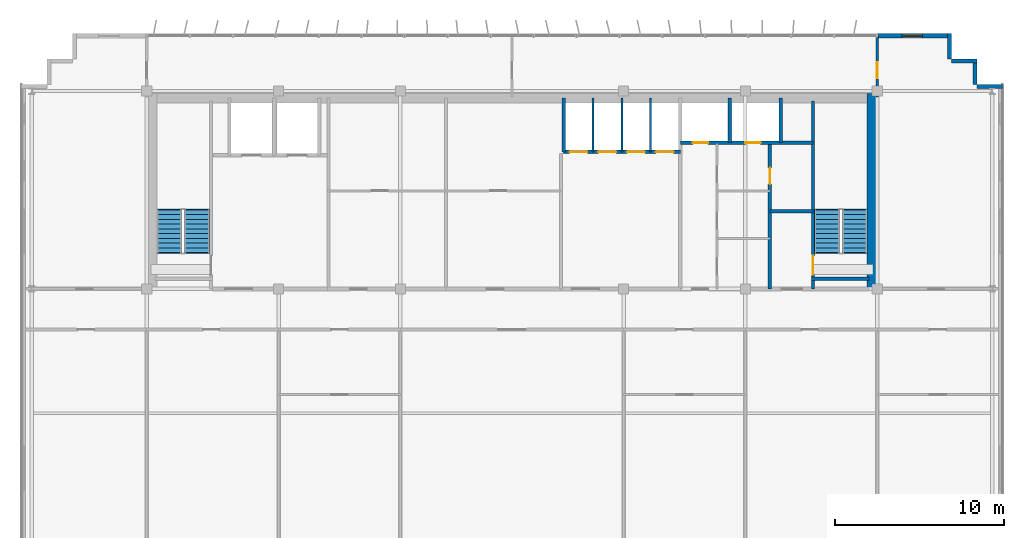
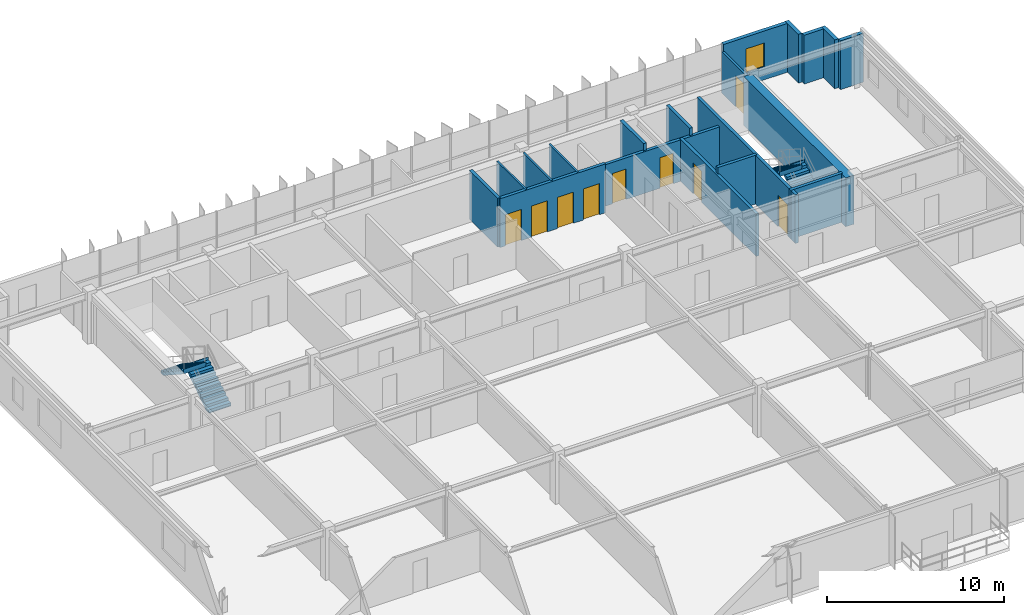
# One storey, part 19 of 21: 19 walls, 9 doors, 4 stair flights, 1 window, 10 openings, 2 elements without a shape of their own.
"""IFC4 building model written with IfcOpenShell, lengths in metres."""

from ifc_helpers import new_model, si_unit, direction, frame, frame_2d, origin, place, context, subcontext, project, spatial, polyline, rectangle, outline, extrude, source, transform, mapped, material, layer, layer_set, type_object, element, fill, aggregate, save


model = new_model("IFC4")

# Units and contexts
model_context = context("Model", 3, precision=1e-05, world=origin(), true_north=direction((0.0, 1.0)))
body_context = subcontext(model_context, "Body", "Model", "MODEL_VIEW")
ifc_project = project(units=[si_unit("LENGTHUNIT", "METRE"), si_unit("AREAUNIT", "SQUARE_METRE"), si_unit("VOLUMEUNIT", "CUBIC_METRE"), si_unit("PLANEANGLEUNIT", "RADIAN"), si_unit("MASSUNIT", "GRAM", prefix="KILO")], contexts=[model_context])

# Site, building, storey
site_placement = place(None, origin())
site = spatial("IfcSite", under=ifc_project, at=site_placement, CompositionType="ELEMENT")
building_placement = place(site_placement, origin())
building = spatial("IfcBuilding", under=site, at=building_placement, Name="Trelvane Seafront Commons", CompositionType="ELEMENT")
storey_placement = place(building_placement, frame((0.0, 0.0, 255.89990234375)))
storey = spatial("IfcBuildingStorey", under=building, at=storey_placement, Name="L66", CompositionType="ELEMENT", Elevation=255.89990234375)

# Wall, opening, window
ifc_material_1 = material(Name="Precast concrete C40/50", Category="concrete")
ifc_layer_1 = layer(ifc_material_1, 0.239990234375, Name="ARCH-WALL-EXT240")
ifc_layer_set_1 = layer_set([ifc_layer_1], Name="Precast concrete C40/50")
wall_type_1 = type_object("IfcWallType", Name="ARCH-WALL-EXT240", PredefinedType="SOLIDWALL", material=ifc_layer_set_1)
wall_1_placement = place(storey_placement, frame((58.800048828125, 48.3701171875, 0.0), z_axis=(0.0, 0.0, 1.0), x_axis=(1.0, 0.0, 0.0)))
wall_1 = element("IfcWall", 1, at=wall_1_placement, inside=storey, type_object=wall_type_1, Name="EW-L66-NE-1320", PredefinedType="SOLIDWALL", context=body_context, shape_type="SweptSolid", body=[
    extrude(rectangle(XDim=4.300048828125, YDim=0.239990234375, at=frame_2d((2.14990234375, 0.0))), origin(), (0.0, 0.0, 1.0), 3.3701171875),
])
opening_1_placement = place(wall_1_placement, frame((1.4599609375, 0.0, 0.89990234375)))
opening_1 = element("IfcOpeningElement", 2, at=opening_1_placement, cuts=wall_1, Name="Opening W05", PredefinedType="OPENING", context=body_context, shape_type="SweptSolid", body=[
    extrude(rectangle(XDim=1.199951171875, YDim=1.64990234375, at=frame_2d((0.60009765625, 0.824951171875))), frame((0.0, 0.1298828125, 0.0), z_axis=(0.0, -1.0, 0.0), x_axis=(1.0, 0.0, 0.0)), (0.0, 0.0, 1.0), 0.260009765625),
])
ifc_material_2 = material(Name="Low-E coastal double glazing", Category="glass")
window_type = type_object("IfcWindowType", Name="ARCH-WIN-W05", PartitioningType="SINGLE_PANEL", PredefinedType="WINDOW", material=ifc_material_2)
shared_shape_1 = source(origin(), body_context, "Body", "SweptSolid", [
    extrude(rectangle(XDim=1.199951171875, YDim=1.64990234375, at=frame_2d((0.60009765625, 0.824951171875))), frame((0.0, 0.030029296875, 0.0), z_axis=(0.0, -1.0, 0.0), x_axis=(1.0, 0.0, 0.0)), (0.0, 0.0, 1.0), 0.06005859375),
])
window_placement = place(opening_1_placement, origin())
window = element("IfcWindow", 3, at=window_placement, inside=storey, type_object=window_type, Name="WIN-L66-01575", OverallHeight=1.64990234375, OverallWidth=1.199951171875, PartitioningType="SINGLE_PANEL", PredefinedType="WINDOW", context=body_context, shape_type="MappedRepresentation", body=[
    mapped(shared_shape_1, transform((0.0, 0.0, 0.0), x_axis=(1.0, 0.0, 0.0), y_axis=(0.0, 1.0, 0.0), z_axis=(0.0, 0.0, 1.0), scale=1.0)),
])
fill(opening_1, window)

# Walls
for number, where, z_axis, x_axis, name in (
    (4, (63.080078125, 48.5, 0.0), (0.0, 0.0, 1.0), (0.0, -1.0, 0.0), "EW-L66-01329"),
    (5, (63.199951171875, 46.8798828125, 0.0), (0.0, 0.0, 1.0), (1.0, 0.0, 0.0), "EW-L66-01330"),
    (6, (64.580078125, 47.0, 0.0), (0.0, 0.0, 1.0), (0.0, -1.0, 0.0), "EW-L66-01331"),
    (7, (64.699951171875, 45.3798828125, 0.0), (0.0, 0.0, 1.0), (1.0, 0.0, 0.0), "EW-L66-01332"),
):
    element("IfcWall", number, at=place(storey_placement, frame(where, z_axis=z_axis, x_axis=x_axis)), inside=storey, type_object=wall_type_1, Name=name, PredefinedType="SOLIDWALL", context=body_context, shape_type="SweptSolid", body=[
        extrude(rectangle(XDim=1.5, YDim=0.239990234375, at=frame_2d((0.75, 0.0))), origin(), (0.0, 0.0, 1.0), 3.3701171875),
    ])

# Wall, opening, door
ifc_material_3 = material(Name="Concrete C40/50", Category="concrete")
ifc_layer_2 = layer(ifc_material_3, 0.199951171875, Name="ARCH-WALL-FIRE200")
ifc_layer_set_2 = layer_set([ifc_layer_2], Name="Concrete C40/50")
wall_type_2 = type_object("IfcWallType", Name="ARCH-WALL-FIRE200", PredefinedType="PARTITIONING", material=ifc_layer_set_2)
wall_2_placement = place(storey_placement, frame((52.449951171875, 33.39990234375, 0.0), z_axis=(0.0, 0.0, 1.0), x_axis=(0.0, 1.0, 0.0)))
wall_2 = element("IfcWall", 8, at=wall_2_placement, inside=storey, type_object=wall_type_2, Name="W-L66-ST2V-W-030", PredefinedType="PARTITIONING", context=body_context, shape_type="SweptSolid", body=[
    extrude(rectangle(XDim=8.650146484375, YDim=0.199951171875, at=frame_2d((4.3251953125, 0.0))), origin(), (0.0, 0.0, 1.0), 2.920166015625),
])
opening_2_placement = place(wall_2_placement, frame((6.199951171875, 0.0, 0.0)))
opening_2 = element("IfcOpeningElement", 9, at=opening_2_placement, cuts=wall_2, Name="Opening FD-L66-17", PredefinedType="OPENING", context=body_context, shape_type="SweptSolid", body=[
    extrude(rectangle(XDim=0.949951171875, YDim=2.14990234375, at=frame_2d((0.47509765625, 1.074951171875))), frame((0.0, 0.10986328125, 0.0), z_axis=(0.0, -1.0, 0.0), x_axis=(1.0, 0.0, 0.0)), (0.0, 0.0, 1.0), 0.219970703125),
])
ifc_material_4 = material(Name="Powder-coated aluminium frame", Category="aluminium")
door_type_1 = type_object("IfcDoorType", Name="ARCH-DR-FD60-950", OperationType="NOTDEFINED", PredefinedType="DOOR", material=ifc_material_4)
shared_shape_2 = source(origin(), body_context, "Body", "SweptSolid", [
    extrude(rectangle(XDim=0.949951171875, YDim=2.14990234375, at=frame_2d((0.47509765625, 1.074951171875))), frame((0.0, 0.02490234375, 0.0), z_axis=(0.0, -1.0, 0.0), x_axis=(1.0, 0.0, 0.0)), (0.0, 0.0, 1.0), 0.050048828125),
])
door_1_placement = place(opening_2_placement, origin())
door_1 = element("IfcDoor", 10, at=door_1_placement, inside=storey, type_object=door_type_1, Name="L66 Cleaner Store Door", OperationType="SINGLE_SWING_LEFT", OverallHeight=2.14990234375, OverallWidth=0.949951171875, PredefinedType="DOOR", context=body_context, shape_type="MappedRepresentation", body=[
    mapped(shared_shape_2, transform((0.0, 0.0, 0.0), x_axis=(1.0, 0.0, 0.0), y_axis=(0.0, 1.0, 0.0), z_axis=(0.0, 0.0, 1.0), scale=1.0)),
])
fill(opening_2, door_1)

# Walls
wall_3_placement = place(storey_placement, frame((52.449951171875, 38.0, 0.0), z_axis=(0.0, 0.0, 1.0), x_axis=(1.0, 0.0, 0.0)))
element("IfcWall", 11, at=wall_3_placement, inside=storey, type_object=wall_type_2, Name="W-L66-ST2V-N-031", PredefinedType="PARTITIONING", context=body_context, shape_type="SweptSolid", body=[
    extrude(rectangle(XDim=2.550048828125, YDim=0.199951171875, at=frame_2d((1.27490234375, 0.0))), origin(), (0.0, 0.0, 1.0), 3.3701171875),
])
ifc_material_5 = material(Name="Gypsum Drywall Acoustic Partition")
ifc_layer_3 = layer(ifc_material_5, 0.1201171875, Name="ARCH-WALL-PART120")
ifc_layer_set_3 = layer_set([ifc_layer_3], Name="Gypsum Drywall Acoustic Partition")
wall_type_3 = type_object("IfcWallType", Name="ARCH-WALL-PART120", PredefinedType="PARTITIONING", material=ifc_layer_set_3)
for number, where, z_axis, x_axis, name in (
    (12, (42.0, 41.5, 0.0), (0.0, 0.0, 1.0), (0.0, 1.0, 0.0), "W-L66-PH-DIV1-020"),
    (13, (43.699951171875, 41.5, 0.0), (0.0, 0.0, 1.0), (0.0, 1.0, 0.0), "W-L66-PH-DIV2-021"),
    (14, (45.39990234375, 41.5, 0.0), (0.0, 0.0, 1.0), (0.0, 1.0, 0.0), "W-L66-PH-DIV3-022"),
):
    element("IfcWall", number, at=place(storey_placement, frame(where, z_axis=z_axis, x_axis=x_axis)), inside=storey, type_object=wall_type_3, Name=name, PredefinedType="PARTITIONING", context=body_context, shape_type="SweptSolid", body=[
        extrude(rectangle(XDim=3.199951171875, YDim=0.1201171875, at=frame_2d((1.60009765625, 0.0))), origin(), (0.0, 0.0, 1.0), 3.3701171875),
    ])

# Wall, opening, door
ifc_layer_4 = layer(ifc_material_5, 0.14990234375, Name="ARCH-WALL-PART150")
ifc_layer_set_4 = layer_set([ifc_layer_4], Name="Gypsum Drywall Acoustic Partition")
wall_type_4 = type_object("IfcWallType", Name="ARCH-WALL-PART150", PredefinedType="PARTITIONING", material=ifc_layer_set_4)
wall_4_placement = place(storey_placement, frame((58.800048828125, 44.75, 0.0), z_axis=(0.0, 0.0, 1.0), x_axis=(0.0, 1.0, 0.0)))
wall_4 = element("IfcWall", 15, at=wall_4_placement, inside=storey, type_object=wall_type_4, Name="W-L66-N-LINK-E-040", PredefinedType="PARTITIONING", context=body_context, shape_type="SweptSolid", body=[
    extrude(rectangle(XDim=3.610107421875, YDim=0.14990234375, at=frame_2d((1.80517578125, 0.0))), origin(), (0.0, 0.0, 1.0), 2.8701171875),
])
opening_3_placement = place(wall_4_placement, frame((1.10009765625, 0.0, 0.0)))
opening_3 = element("IfcOpeningElement", 16, at=opening_3_placement, cuts=wall_4, Name="Opening FD-L66-27", PredefinedType="OPENING", context=body_context, shape_type="SweptSolid", body=[
    extrude(rectangle(XDim=0.949951171875, YDim=2.14990234375, at=frame_2d((0.47509765625, 1.074951171875))), frame((0.0, 0.0849609375, 0.0), z_axis=(0.0, -1.0, 0.0), x_axis=(1.0, 0.0, 0.0)), (0.0, 0.0, 1.0), 0.169921875),
])
door_2_placement = place(opening_3_placement, origin())
door_2 = element("IfcDoor", 17, at=door_2_placement, inside=storey, type_object=door_type_1, Name="L66 Door 27", OperationType="SINGLE_SWING_LEFT", OverallHeight=2.14990234375, OverallWidth=0.949951171875, PredefinedType="DOOR", context=body_context, shape_type="MappedRepresentation", body=[
    mapped(shared_shape_2, transform((0.0, 0.0, 0.0), x_axis=(1.0, 0.0, 0.0), y_axis=(0.0, 1.0, 0.0), z_axis=(0.0, 0.0, 1.0), scale=1.0)),
])
fill(opening_3, door_2)

# Wall, openings, doors
ifc_layer_5 = layer(ifc_material_3, 0.199951171875, Name="ARCH-WALL-SHAFT200")
ifc_layer_set_5 = layer_set([ifc_layer_5], Name="Concrete C40/50")
wall_type_5 = type_object("IfcWallType", Name="ARCH-WALL-SHAFT200", PredefinedType="SOLIDWALL", material=ifc_layer_set_5)
wall_5_placement = place(storey_placement, frame((40.25, 41.5, 0.0), z_axis=(0.0, 0.0, 1.0), x_axis=(1.0, 0.0, 0.0)))
wall_5 = element("IfcWall", 18, at=wall_5_placement, inside=storey, type_object=wall_type_5, Name="W-L66-PH-FRONT-018", PredefinedType="SOLIDWALL", context=body_context, shape_type="SweptSolid", body=[
    extrude(rectangle(XDim=6.89990234375, YDim=0.199951171875, at=frame_2d((3.449951171875, 0.0))), origin(), (0.0, 0.0, 1.0), 3.3701171875),
])
opening_4_placement = place(wall_5_placement, frame((0.35009765625, 0.0, 0.0)))
opening_4 = element("IfcOpeningElement", 19, at=opening_4_placement, cuts=wall_5, Name="Opening LD-PH1-L66", PredefinedType="OPENING", context=body_context, shape_type="SweptSolid", body=[
    extrude(rectangle(XDim=1.050048828125, YDim=2.14990234375, at=frame_2d((0.52490234375, 1.074951171875))), frame((0.0, 0.10986328125, 0.0), z_axis=(0.0, -1.0, 0.0), x_axis=(1.0, 0.0, 0.0)), (0.0, 0.0, 1.0), 0.219970703125),
])
opening_5_placement = place(wall_5_placement, frame((2.050048828125, 0.0, 0.0)))
opening_5 = element("IfcOpeningElement", 20, at=opening_5_placement, cuts=wall_5, Name="Opening LD-PH2-L66", PredefinedType="OPENING", context=body_context, shape_type="SweptSolid", body=[
    extrude(rectangle(XDim=1.050048828125, YDim=2.14990234375, at=frame_2d((0.52490234375, 1.074951171875))), frame((0.0, 0.10986328125, 0.0), z_axis=(0.0, -1.0, 0.0), x_axis=(1.0, 0.0, 0.0)), (0.0, 0.0, 1.0), 0.219970703125),
])
opening_6_placement = place(wall_5_placement, frame((3.75, 0.0, 0.0)))
opening_6 = element("IfcOpeningElement", 21, at=opening_6_placement, cuts=wall_5, Name="Opening LD-PH3-L66", PredefinedType="OPENING", context=body_context, shape_type="SweptSolid", body=[
    extrude(rectangle(XDim=1.050048828125, YDim=2.14990234375, at=frame_2d((0.52490234375, 1.074951171875))), frame((0.0, 0.10986328125, 0.0), z_axis=(0.0, -1.0, 0.0), x_axis=(1.0, 0.0, 0.0)), (0.0, 0.0, 1.0), 0.219970703125),
])
opening_7_placement = place(wall_5_placement, frame((5.449951171875, 0.0, 0.0)))
opening_7 = element("IfcOpeningElement", 22, at=opening_7_placement, cuts=wall_5, Name="Opening LD-PH4-L66", PredefinedType="OPENING", context=body_context, shape_type="SweptSolid", body=[
    extrude(rectangle(XDim=1.050048828125, YDim=2.14990234375, at=frame_2d((0.52490234375, 1.074951171875))), frame((0.0, 0.10986328125, 0.0), z_axis=(0.0, -1.0, 0.0), x_axis=(1.0, 0.0, 0.0)), (0.0, 0.0, 1.0), 0.219970703125),
])
ifc_material_6 = material(Name="Stainless steel balustrade", Category="steel")
door_type_2 = type_object("IfcDoorType", Name="ARCH-DR-LD1050", OperationType="DOUBLE_DOOR_SLIDING", PredefinedType="DOOR", material=ifc_material_6)
shared_shape_3 = source(origin(), body_context, "Body", "SweptSolid", [
    extrude(rectangle(XDim=1.050048828125, YDim=2.14990234375, at=frame_2d((0.52490234375, 1.074951171875))), frame((0.0, 0.02490234375, 0.0), z_axis=(0.0, -1.0, 0.0), x_axis=(1.0, 0.0, 0.0)), (0.0, 0.0, 1.0), 0.050048828125),
])
door_3_placement = place(opening_4_placement, origin())
door_3 = element("IfcDoor", 23, at=door_3_placement, inside=storey, type_object=door_type_2, Name="L66 Passenger Lift PH-1 Landing Door", OperationType="DOUBLE_DOOR_SLIDING", OverallHeight=2.14990234375, OverallWidth=1.050048828125, PredefinedType="DOOR", context=body_context, shape_type="MappedRepresentation", body=[
    mapped(shared_shape_3, transform((0.0, 0.0, 0.0), x_axis=(1.0, 0.0, 0.0), y_axis=(0.0, 1.0, 0.0), z_axis=(0.0, 0.0, 1.0), scale=1.0)),
])
fill(opening_4, door_3)
door_4_placement = place(opening_5_placement, origin())
door_4 = element("IfcDoor", 24, at=door_4_placement, inside=storey, type_object=door_type_2, Name="L66 Passenger Lift PH-2 Landing Door", OperationType="DOUBLE_DOOR_SLIDING", OverallHeight=2.14990234375, OverallWidth=1.050048828125, PredefinedType="DOOR", context=body_context, shape_type="MappedRepresentation", body=[
    mapped(shared_shape_3, transform((0.0, 0.0, 0.0), x_axis=(1.0, 0.0, 0.0), y_axis=(0.0, 1.0, 0.0), z_axis=(0.0, 0.0, 1.0), scale=1.0)),
])
fill(opening_5, door_4)
door_5_placement = place(opening_6_placement, origin())
door_5 = element("IfcDoor", 25, at=door_5_placement, inside=storey, type_object=door_type_2, Name="L66 Passenger Lift PH-3 Landing Door", OperationType="DOUBLE_DOOR_SLIDING", OverallHeight=2.14990234375, OverallWidth=1.050048828125, PredefinedType="DOOR", context=body_context, shape_type="MappedRepresentation", body=[
    mapped(shared_shape_3, transform((0.0, 0.0, 0.0), x_axis=(1.0, 0.0, 0.0), y_axis=(0.0, 1.0, 0.0), z_axis=(0.0, 0.0, 1.0), scale=1.0)),
])
fill(opening_6, door_5)
door_6_placement = place(opening_7_placement, origin())
door_6 = element("IfcDoor", 26, at=door_6_placement, inside=storey, type_object=door_type_2, Name="L66 Passenger Lift PH-4 Landing Door", OperationType="DOUBLE_DOOR_SLIDING", OverallHeight=2.14990234375, OverallWidth=1.050048828125, PredefinedType="DOOR", context=body_context, shape_type="MappedRepresentation", body=[
    mapped(shared_shape_3, transform((0.0, 0.0, 0.0), x_axis=(1.0, 0.0, 0.0), y_axis=(0.0, 1.0, 0.0), z_axis=(0.0, 0.0, 1.0), scale=1.0)),
])
fill(opening_7, door_6)

# Wall
wall_6_placement = place(storey_placement, frame((40.25, 41.5, 0.0), z_axis=(0.0, 0.0, 1.0), x_axis=(0.0, 1.0, 0.0)))
element("IfcWall", 27, at=wall_6_placement, inside=storey, type_object=wall_type_5, Name="W-L66-PH-WEST-SH-019", PredefinedType="SOLIDWALL", context=body_context, shape_type="SweptSolid", body=[
    extrude(rectangle(XDim=3.199951171875, YDim=0.199951171875, at=frame_2d((1.60009765625, 0.0))), origin(), (0.0, 0.0, 1.0), 3.3701171875),
])

# Wall, openings, doors
wall_7_placement = place(storey_placement, frame((47.14990234375, 42.050048828125, 0.0), z_axis=(0.0, 0.0, 1.0), x_axis=(1.0, 0.0, 0.0)))
wall_7 = element("IfcWall", 28, at=wall_7_placement, inside=storey, type_object=wall_type_5, Name="W-L66-RSR-S-027", PredefinedType="SOLIDWALL", context=body_context, shape_type="SweptSolid", body=[
    extrude(rectangle(XDim=7.85009765625, YDim=0.199951171875, at=frame_2d((3.925048828125, 0.0))), origin(), (0.0, 0.0, 1.0), 2.8701171875),
])
opening_8_placement = place(wall_7_placement, frame((0.75, 0.0, 0.0)))
opening_8 = element("IfcOpeningElement", 29, at=opening_8_placement, cuts=wall_7, Name="Opening FD-L66-15", PredefinedType="OPENING", context=body_context, shape_type="SweptSolid", body=[
    extrude(rectangle(XDim=0.89990234375, YDim=2.10009765625, at=frame_2d((0.449951171875, 1.050048828125))), frame((0.0, 0.10986328125, 0.0), z_axis=(0.0, -1.0, 0.0), x_axis=(1.0, 0.0, 0.0)), (0.0, 0.0, 1.0), 0.219970703125),
])
opening_9_placement = place(wall_7_placement, frame((3.85009765625, 0.0, 0.0)))
opening_9 = element("IfcOpeningElement", 30, at=opening_9_placement, cuts=wall_7, Name="Opening FD-L66-16", PredefinedType="OPENING", context=body_context, shape_type="SweptSolid", body=[
    extrude(rectangle(XDim=0.89990234375, YDim=2.10009765625, at=frame_2d((0.449951171875, 1.050048828125))), frame((0.0, 0.10986328125, 0.0), z_axis=(0.0, -1.0, 0.0), x_axis=(1.0, 0.0, 0.0)), (0.0, 0.0, 1.0), 0.219970703125),
])
door_type_3 = type_object("IfcDoorType", Name="ARCH-DR-FD60-900", OperationType="NOTDEFINED", PredefinedType="DOOR", material=ifc_material_4)
shared_shape_4 = source(origin(), body_context, "Body", "SweptSolid", [
    extrude(rectangle(XDim=0.89990234375, YDim=2.10009765625, at=frame_2d((0.449951171875, 1.050048828125))), frame((0.0, 0.02490234375, 0.0), z_axis=(0.0, -1.0, 0.0), x_axis=(1.0, 0.0, 0.0)), (0.0, 0.0, 1.0), 0.050048828125),
])
door_7_placement = place(opening_8_placement, origin())
door_7 = element("IfcDoor", 31, at=door_7_placement, inside=storey, type_object=door_type_3, Name="L66 Electrical Riser Access Door", OperationType="SINGLE_SWING_LEFT", OverallHeight=2.10009765625, OverallWidth=0.89990234375, PredefinedType="DOOR", context=body_context, shape_type="MappedRepresentation", body=[
    mapped(shared_shape_4, transform((0.0, 0.0, 0.0), x_axis=(1.0, 0.0, 0.0), y_axis=(0.0, 1.0, 0.0), z_axis=(0.0, 0.0, 1.0), scale=1.0)),
])
fill(opening_8, door_7)
door_8_placement = place(opening_9_placement, origin())
door_8 = element("IfcDoor", 32, at=door_8_placement, inside=storey, type_object=door_type_3, Name="L66 Mechanical Riser Access Door", OperationType="SINGLE_SWING_RIGHT", OverallHeight=2.10009765625, OverallWidth=0.89990234375, PredefinedType="DOOR", context=body_context, shape_type="MappedRepresentation", body=[
    mapped(shared_shape_4, transform((0.0, 0.0, 0.0), x_axis=(1.0, 0.0, 0.0), y_axis=(0.0, 1.0, 0.0), z_axis=(0.0, 0.0, 1.0), scale=1.0)),
])
fill(opening_9, door_8)

# Walls
for number, where, z_axis, x_axis, name in (
    (33, (50.080078125, 42.050048828125, 0.0), (0.0, 0.0, 1.0), (0.0, 1.0, 0.0), "W-L66-RSR-DIV-028"),
    (34, (53.10009765625, 42.050048828125, 0.0), (0.0, 0.0, 1.0), (0.0, 1.0, 0.0), "W-L66-RSR-E-029"),
):
    element("IfcWall", number, at=place(storey_placement, frame(where, z_axis=z_axis, x_axis=x_axis)), inside=storey, type_object=wall_type_5, Name=name, PredefinedType="SOLIDWALL", context=body_context, shape_type="SweptSolid", body=[
        extrude(rectangle(XDim=2.64990234375, YDim=0.199951171875, at=frame_2d((1.324951171875, 0.0))), origin(), (0.0, 0.0, 1.0), 3.3701171875),
    ])
ifc_material_7 = material(Name="Concrete C50/60", Category="concrete")
ifc_layer_6 = layer(ifc_material_7, 0.550048828125, Name="STR-WALL-CORE550")
ifc_layer_set_6 = layer_set([ifc_layer_6], Name="Concrete C50/60")
wall_type_6 = type_object("IfcWallType", Name="STR-WALL-CORE550", PredefinedType="SHEAR", material=ifc_layer_set_6)
wall_8_placement = place(storey_placement, frame((58.47509765625, 33.39990234375, 0.0), z_axis=(0.0, 0.0, 1.0), x_axis=(0.0, 1.0, 0.0)))
element("IfcWall", 35, at=wall_8_placement, inside=storey, type_object=wall_type_6, Name="W-L66-CE-END-003", PredefinedType="SHEAR", context=body_context, shape_type="SweptSolid", body=[
    extrude(rectangle(XDim=11.550048828125, YDim=0.550048828125, at=frame_2d((5.77490234375, 0.0))), origin(), (0.0, 0.0, 1.0), 3.3701171875),
])
ifc_layer_7 = layer(ifc_material_7, 0.199951171875, Name="STR-WALL-STAIR200")
ifc_layer_set_7 = layer_set([ifc_layer_7], Name="Concrete C50/60")
wall_type_7 = type_object("IfcWallType", Name="STR-WALL-STAIR200", PredefinedType="SHEAR", material=ifc_layer_set_7)
wall_9_placement = place(storey_placement, frame((54.89990234375, 34.0, 0.0), z_axis=(0.0, 0.0, 1.0), x_axis=(1.0, 0.0, 0.0)))
element("IfcWall", 36, at=wall_9_placement, inside=storey, type_object=wall_type_7, Name="W-L66-ST2-S-006", PredefinedType="SHEAR", context=body_context, shape_type="SweptSolid", body=[
    extrude(rectangle(XDim=3.400146484375, YDim=0.199951171875, at=frame_2d((1.7001953125, 0.0))), origin(), (0.0, 0.0, 1.0), 3.3701171875),
])

# Wall, opening, door
wall_10_placement = place(storey_placement, frame((55.0, 33.39990234375, 0.0), z_axis=(0.0, 0.0, 1.0), x_axis=(0.0, 1.0, 0.0)))
wall_10 = element("IfcWall", 37, at=wall_10_placement, inside=storey, type_object=wall_type_7, Name="W-L66-ST2-W-007", PredefinedType="SHEAR", context=body_context, shape_type="SweptSolid", body=[
    extrude(rectangle(XDim=11.10009765625, YDim=0.199951171875, at=frame_2d((5.550048828125, 0.0))), origin(), (0.0, 0.0, 1.0), 3.3701171875),
])
opening_10_placement = place(wall_10_placement, frame((0.85009765625, 0.0, 0.0)))
opening_10 = element("IfcOpeningElement", 38, at=opening_10_placement, cuts=wall_10, Name="Opening ST-D2-L66", PredefinedType="OPENING", context=body_context, shape_type="SweptSolid", body=[
    extrude(rectangle(XDim=1.10009765625, YDim=2.14990234375, at=frame_2d((0.550048828125, 1.074951171875))), frame((0.0, 0.10986328125, 0.0), z_axis=(0.0, -1.0, 0.0), x_axis=(1.0, 0.0, 0.0)), (0.0, 0.0, 1.0), 0.219970703125),
])
door_type_4 = type_object("IfcDoorType", Name="ARCH-DR-FD90-1100", OperationType="NOTDEFINED", PredefinedType="DOOR", material=ifc_material_4)
shared_shape_5 = source(origin(), body_context, "Body", "SweptSolid", [
    extrude(rectangle(XDim=1.10009765625, YDim=2.14990234375, at=frame_2d((0.550048828125, 1.074951171875))), frame((0.0, 0.02490234375, 0.0), z_axis=(0.0, -1.0, 0.0), x_axis=(1.0, 0.0, 0.0)), (0.0, 0.0, 1.0), 0.050048828125),
])
door_9_placement = place(opening_10_placement, origin())
door_9 = element("IfcDoor", 39, at=door_9_placement, inside=storey, type_object=door_type_4, Name="L66 Stair ST-2 Vestibule Fire Door", OperationType="SINGLE_SWING_RIGHT", OverallHeight=2.14990234375, OverallWidth=1.10009765625, PredefinedType="DOOR", context=body_context, shape_type="MappedRepresentation", body=[
    mapped(shared_shape_5, transform((0.0, 0.0, 0.0), x_axis=(1.0, 0.0, 0.0), y_axis=(0.0, 1.0, 0.0), z_axis=(0.0, 0.0, 1.0), scale=1.0)),
])
fill(opening_10, door_9)

# Stair, stair flights
stair_type_1 = type_object("IfcStairType", Name="ARCH-STR-ST-1-R20-180", PredefinedType="HALF_TURN_STAIR", material=ifc_material_3)
stair_1_placement = place(storey_placement, origin())
stair_1 = element("IfcStair", 40, at=stair_1_placement, inside=storey, type_object=stair_type_1, Name="L66 West Protected Firefighting Exit Stair ST-1", PredefinedType="HALF_TURN_STAIR")
stair_flight_type_1 = type_object("IfcStairFlightType", Name="ARCH-FLG-ST-1-R20-180", PredefinedType="STRAIGHT", material=ifc_material_3)
shared_shape_6 = source(origin(), body_context, "Body", "SweptSolid", [
    extrude(outline(polyline([(-0.050048828125, -0.02001953125), (-0.050048828125, 0.0), (0.0, 0.0), (0.0, 0.179931640625), (0.280029296875, 0.179931640625), (0.280029296875, 0.360107421875), (0.56005859375, 0.360107421875), (0.56005859375, 0.5400390625), (0.840087890625, 0.5400390625), (0.840087890625, 0.719970703125), (1.1201171875, 0.719970703125), (1.1201171875, 0.89990234375), (1.39990234375, 0.89990234375), (1.39990234375, 1.080078125), (1.679931640625, 1.080078125), (1.679931640625, 1.260009765625), (1.9599609375, 1.260009765625), (1.9599609375, 1.43994140625), (2.239990234375, 1.43994140625), (2.239990234375, 1.6201171875), (2.52001953125, 1.6201171875), (2.52001953125, 1.800048828125), (2.570068359375, 1.800048828125), (2.570068359375, 1.650146484375), (2.52001953125, 1.44189453125), (0.277099609375, -0.02001953125), (-0.050048828125, -0.02001953125)])), frame((0.0, 0.72509765625, 0.0), z_axis=(0.0, -1.0, 0.0), x_axis=(1.0, 0.0, 0.0)), (0.0, 0.0, 1.0), 1.449951171875),
])
stair_flight_1_placement = place(storey_placement, frame((18.574951171875, 35.550048828125, 0.0), z_axis=(0.0, 0.0, 1.0), x_axis=(0.0, 1.0, 0.0)))
stair_flight_1 = element("IfcStairFlight", 41, at=stair_flight_1_placement, type_object=stair_flight_type_1, Name="ST-1 flight 1", NumberOfRisers=10, NumberOfTreads=9, PredefinedType="STRAIGHT", RiserHeight=0.18, TreadLength=0.28, context=body_context, shape_type="MappedRepresentation", body=[
    mapped(shared_shape_6, transform((0.0, 0.0, 0.0), x_axis=(1.0, 0.0, 0.0), y_axis=(0.0, 1.0, 0.0), z_axis=(0.0, 0.0, 1.0), scale=1.0)),
])
stair_flight_2_placement = place(storey_placement, frame((16.925048828125, 38.070068359375, 1.800048828125), z_axis=(0.0, 0.0, 1.0), x_axis=(0.0, -1.0, 0.0)))
stair_flight_2 = element("IfcStairFlight", 42, at=stair_flight_2_placement, type_object=stair_flight_type_1, Name="ST-1 flight 2", NumberOfRisers=10, NumberOfTreads=9, PredefinedType="STRAIGHT", RiserHeight=0.18, TreadLength=0.28, context=body_context, shape_type="MappedRepresentation", body=[
    mapped(shared_shape_6, transform((0.0, 0.0, 0.0), x_axis=(1.0, 0.0, 0.0), y_axis=(0.0, 1.0, 0.0), z_axis=(0.0, 0.0, 1.0), scale=1.0)),
])
aggregate(stair_1, [stair_flight_1, stair_flight_2])

stair_type_2 = type_object("IfcStairType", Name="ARCH-STR-ST-2-R20-180", PredefinedType="HALF_TURN_STAIR", material=ifc_material_3)
stair_2_placement = place(storey_placement, origin())
stair_2 = element("IfcStair", 43, at=stair_2_placement, inside=storey, type_object=stair_type_2, Name="L66 East Protected Firefighting Exit Stair ST-2", PredefinedType="HALF_TURN_STAIR")
stair_flight_type_2 = type_object("IfcStairFlightType", Name="ARCH-FLG-ST-2-R20-180", PredefinedType="STRAIGHT", material=ifc_material_3)
stair_flight_3_placement = place(storey_placement, frame((57.47509765625, 35.550048828125, 0.0), z_axis=(0.0, 0.0, 1.0), x_axis=(0.0, 1.0, 0.0)))
stair_flight_3 = element("IfcStairFlight", 44, at=stair_flight_3_placement, type_object=stair_flight_type_2, Name="ST-2 flight 1", NumberOfRisers=10, NumberOfTreads=9, PredefinedType="STRAIGHT", RiserHeight=0.18, TreadLength=0.28, context=body_context, shape_type="MappedRepresentation", body=[
    mapped(shared_shape_6, transform((0.0, 0.0, 0.0), x_axis=(1.0, 0.0, 0.0), y_axis=(0.0, 1.0, 0.0), z_axis=(0.0, 0.0, 1.0), scale=1.0)),
])
stair_flight_4_placement = place(storey_placement, frame((55.824951171875, 38.070068359375, 1.800048828125), z_axis=(0.0, 0.0, 1.0), x_axis=(0.0, -1.0, 0.0)))
stair_flight_4 = element("IfcStairFlight", 45, at=stair_flight_4_placement, type_object=stair_flight_type_2, Name="ST-2 flight 2", NumberOfRisers=10, NumberOfTreads=9, PredefinedType="STRAIGHT", RiserHeight=0.18, TreadLength=0.28, context=body_context, shape_type="MappedRepresentation", body=[
    mapped(shared_shape_6, transform((0.0, 0.0, 0.0), x_axis=(1.0, 0.0, 0.0), y_axis=(0.0, 1.0, 0.0), z_axis=(0.0, 0.0, 1.0), scale=1.0)),
])
aggregate(stair_2, [stair_flight_3, stair_flight_4])

save(model, "model.ifc")
